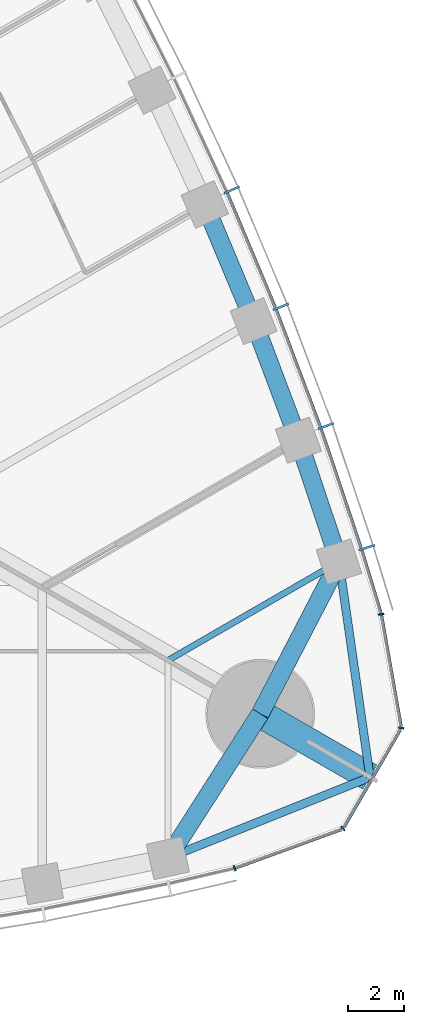
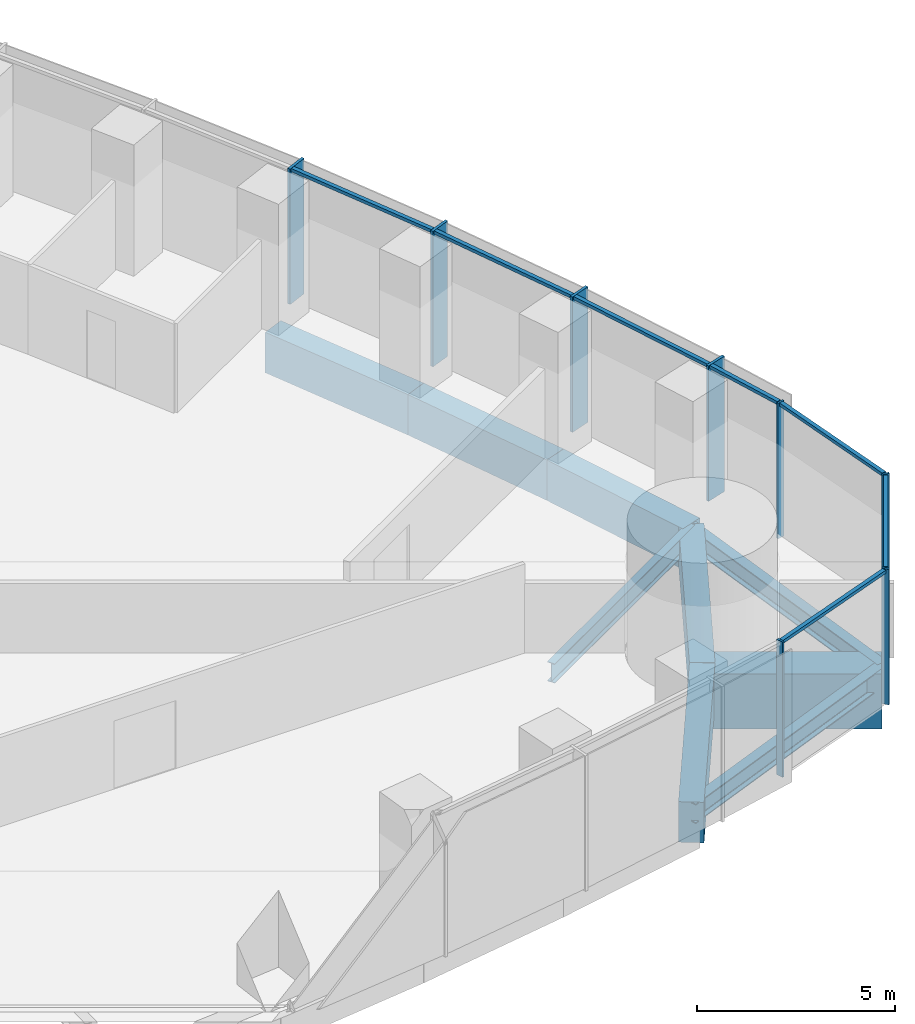
# One storey, part 8 of 19: 15 members, 9 beams, 2 elements without a shape of their own.
"""IFC4 building model written with IfcOpenShell, lengths in metres."""

from ifc_helpers import new_model, si_unit, direction, frame, origin, origin_2d, place, context, subcontext, project, spatial, rectangle, i_section, extrude, material, material_profile, profile_set, type_object, element, aggregate, save


model = new_model("IFC4")

# Units and contexts
model_context = context("Model", 3, precision=1e-05, world=origin(), true_north=direction((0.0, 1.0)))
body_context = subcontext(model_context, "Body", "Model", "MODEL_VIEW")
ifc_project = project(units=[si_unit("LENGTHUNIT", "METRE"), si_unit("AREAUNIT", "SQUARE_METRE"), si_unit("VOLUMEUNIT", "CUBIC_METRE"), si_unit("PLANEANGLEUNIT", "RADIAN"), si_unit("MASSUNIT", "GRAM", prefix="KILO")], contexts=[model_context])

# Site, building, storey
site_placement = place(None, origin())
site = spatial("IfcSite", under=ifc_project, at=site_placement, CompositionType="ELEMENT")
building_placement = place(site_placement, origin())
building = spatial("IfcBuilding", under=site, at=building_placement, Name="Trefoil Bronze Tower", CompositionType="ELEMENT")
storey_placement = place(building_placement, frame((0.0, 0.0, 136.699951171875)))
storey = spatial("IfcBuildingStorey", under=building, at=storey_placement, Name="L31", CompositionType="ELEMENT", Elevation=136.699951171875)

# Curtain wall, members
ifc_material_1 = material(Name="Tinted solar-control glass", Category="glass")
curtain_wall_type_1 = type_object("IfcCurtainWallType", Name="Bronze office curtain wall", PredefinedType="USERDEFINED", material=ifc_material_1)
curtain_wall_1_placement = place(storey_placement, origin())
curtain_wall_1 = element("IfcCurtainWall", 1, at=curtain_wall_1_placement, inside=storey, type_object=curtain_wall_type_1, Name="CW-A L31 F2", ObjectType="CURTAIN WALL", PredefinedType="USERDEFINED")
ifc_material_2 = material(Name="Bronze-finish aluminium", Category="aluminium")
ifc_material_profile_1 = material_profile(ifc_material_2, rectangle(XDim=0.60009765625, YDim=0.080078125, at=origin_2d()), Name="CW-A mullion")
ifc_profile_set_1 = profile_set([ifc_material_profile_1], Name="Bronze-finish aluminium")
member_type_1 = type_object("IfcMemberType", Name="Bronze office curtain wall mullion", PredefinedType="MULLION", material=ifc_profile_set_1)
member_1_placement = place(storey_placement, frame((34.1337890625, -11.543212890625, 0.0), z_axis=(0.0, 0.0, 1.0), x_axis=(-0.952331125357, -0.30506626768, 0.0)))
member_1 = element("IfcMember", 2, at=member_1_placement, type_object=member_type_1, Name="CW-A L31 F2 mullion 2", PredefinedType="MULLION", context=body_context, shape_type="SweptSolid", body=[
    extrude(rectangle(XDim=0.60009765625, YDim=0.080078125, at=origin_2d()), origin(), (0.0, 0.0, 1.0), 4.179931640625),
])
member_2_placement = place(storey_placement, frame((32.668701171875, -7.181884765625, 0.0), z_axis=(0.0, 0.0, 1.0), x_axis=(-0.94196250502, -0.335718094742, 0.0)))
member_2 = element("IfcMember", 3, at=member_2_placement, type_object=member_type_1, Name="CW-A L31 F2 mullion 3", PredefinedType="MULLION", context=body_context, shape_type="SweptSolid", body=[
    extrude(rectangle(XDim=0.60009765625, YDim=0.080078125, at=origin_2d()), origin(), (0.0, 0.0, 1.0), 4.179931640625),
])
member_3_placement = place(storey_placement, frame((31.055419921875, -2.90478515625, 0.0), z_axis=(0.0, 0.0, 1.0), x_axis=(-0.929071242848, -0.369900832269, 0.0)))
member_3 = element("IfcMember", 4, at=member_3_placement, type_object=member_type_1, Name="CW-A L31 F2 mullion 4", PredefinedType="MULLION", context=body_context, shape_type="SweptSolid", body=[
    extrude(rectangle(XDim=0.60009765625, YDim=0.080078125, at=origin_2d()), origin(), (0.0, 0.0, 1.0), 4.179931640625),
])
member_4_placement = place(storey_placement, frame((29.296875, 1.28857421875, 0.0), z_axis=(0.0, 0.0, 1.0), x_axis=(-0.915018269914, -0.40341240155, 0.0)))
member_4 = element("IfcMember", 5, at=member_4_placement, type_object=member_type_1, Name="CW-A L31 F2 mullion 5", PredefinedType="MULLION", context=body_context, shape_type="SweptSolid", body=[
    extrude(rectangle(XDim=0.60009765625, YDim=0.080078125, at=origin_2d()), origin(), (0.0, 0.0, 1.0), 4.179931640625),
])
ifc_material_3 = material(Name="Bronze-finish aluminium", Category="aluminium")
ifc_material_profile_2 = material_profile(ifc_material_3, rectangle(XDim=0.1201171875, YDim=0.10009765625, at=origin_2d()), Name="CW-A transom")
ifc_profile_set_2 = profile_set([ifc_material_profile_2], Name="Bronze-finish aluminium")
member_type_2 = type_object("IfcMemberType", Name="Bronze office curtain wall transom", PredefinedType="USERDEFINED", material=ifc_profile_set_2)
member_5_placement = place(storey_placement, frame((34.637939453125, -13.88232421875, 4.130126953125), z_axis=(-0.291680468798, 0.956515814883, 0.0), x_axis=(-0.956515814883, -0.291680468798, 0.0)))
member_5 = element("IfcMember", 6, at=member_5_placement, type_object=member_type_2, Name="CW-A L31 F2 transom 1", ObjectType="TRANSOM", PredefinedType="USERDEFINED", context=body_context, shape_type="SweptSolid", body=[
    extrude(rectangle(XDim=0.1201171875, YDim=0.10009765625, at=origin_2d()), origin(), (0.0, 0.0, 1.0), 2.34033203125),
])
member_6_placement = place(storey_placement, frame((33.929931640625, -11.56494140625, 4.130126953125), z_axis=(-0.318386323729, 0.947961048178, 0.0), x_axis=(-0.947961048178, -0.318386323729, 0.0)))
member_6 = element("IfcMember", 7, at=member_6_placement, type_object=member_type_2, Name="CW-A L31 F2 transom 2", ObjectType="TRANSOM", PredefinedType="USERDEFINED", context=body_context, shape_type="SweptSolid", body=[
    extrude(rectangle(XDim=0.1201171875, YDim=0.10009765625, at=origin_2d()), origin(), (0.0, 0.0, 1.0), 4.51123046875),
])
member_7_placement = place(storey_placement, frame((32.465576171875, -7.2099609375, 4.130126953125), z_axis=(-0.352932154759, 0.935648916067, 0.0), x_axis=(-0.935648916067, -0.352932154759, 0.0)))
member_7 = element("IfcMember", 8, at=member_7_placement, type_object=member_type_2, Name="CW-A L31 F2 transom 3", ObjectType="TRANSOM", PredefinedType="USERDEFINED", context=body_context, shape_type="SweptSolid", body=[
    extrude(rectangle(XDim=0.1201171875, YDim=0.10009765625, at=origin_2d()), origin(), (0.0, 0.0, 1.0), 4.48046875),
])
member_8_placement = place(storey_placement, frame((30.853515625, -2.940185546875, 4.130126953125), z_axis=(-0.386773266184, 0.922174842731, 0.0), x_axis=(-0.922174842731, -0.386773266184, 0.0)))
member_8 = element("IfcMember", 9, at=member_8_placement, type_object=member_type_2, Name="CW-A L31 F2 transom 4", ObjectType="TRANSOM", PredefinedType="USERDEFINED", context=body_context, shape_type="SweptSolid", body=[
    extrude(rectangle(XDim=0.1201171875, YDim=0.10009765625, at=origin_2d()), origin(), (0.0, 0.0, 1.0), 4.45654296875),
])
aggregate(curtain_wall_1, [member_1, member_2, member_3, member_4, member_5, member_6, member_7, member_8])

ifc_material_4 = material(Name="Tinted solar-control glass", Category="glass")
curtain_wall_type_2 = type_object("IfcCurtainWallType", Name="Bronze rounded corner curtain wall", PredefinedType="USERDEFINED", material=ifc_material_4)
curtain_wall_2_placement = place(storey_placement, origin())
curtain_wall_2 = element("IfcCurtainWall", 10, at=curtain_wall_2_placement, inside=storey, type_object=curtain_wall_type_2, Name="CW-B L31 K1", ObjectType="CURTAIN WALL", PredefinedType="USERDEFINED")
ifc_material_5 = material(Name="Bronze-finish aluminium", Category="aluminium")
ifc_material_profile_3 = material_profile(ifc_material_5, rectangle(XDim=0.199951171875, YDim=0.06005859375, at=origin_2d()), Name="CW-B mullion")
ifc_profile_set_3 = profile_set([ifc_material_profile_3], Name="Bronze-finish aluminium")
member_type_3 = type_object("IfcMemberType", Name="Bronze rounded corner curtain wall mullion", PredefinedType="MULLION", material=ifc_profile_set_3)
member_9_placement = place(storey_placement, frame((29.391845703125, -23.043701171875, 0.0), z_axis=(0.0, 0.0, 1.0), x_axis=(-0.342020143326, 0.939692620786, 0.0)))
member_9 = element("IfcMember", 11, at=member_9_placement, type_object=member_type_3, Name="CW-B L31 K1 mullion 1", PredefinedType="MULLION", context=body_context, shape_type="SweptSolid", body=[
    extrude(rectangle(XDim=0.199951171875, YDim=0.06005859375, at=origin_2d()), origin(), (0.0, 0.0, 1.0), 4.179931640625),
])
member_10_placement = place(storey_placement, frame((33.27880859375, -21.62255859375, 0.0), z_axis=(0.0, 0.0, 1.0), x_axis=(-0.642787609687, 0.766044443119, 0.0)))
member_10 = element("IfcMember", 12, at=member_10_placement, type_object=member_type_3, Name="CW-B L31 K1 mullion 2", PredefinedType="MULLION", context=body_context, shape_type="SweptSolid", body=[
    extrude(rectangle(XDim=0.199951171875, YDim=0.06005859375, at=origin_2d()), origin(), (0.0, 0.0, 1.0), 4.179931640625),
])
member_11_placement = place(storey_placement, frame((35.364990234375, -18.009033203125, 0.0), z_axis=(0.0, 0.0, 1.0), x_axis=(-0.984807753012, 0.173648177667, 0.0)))
member_11 = element("IfcMember", 13, at=member_11_placement, type_object=member_type_3, Name="CW-B L31 K1 mullion 3", PredefinedType="MULLION", context=body_context, shape_type="SweptSolid", body=[
    extrude(rectangle(XDim=0.199951171875, YDim=0.06005859375, at=origin_2d()), origin(), (0.0, 0.0, 1.0), 4.179931640625),
])
member_12_placement = place(storey_placement, frame((34.65234375, -13.932373046875, 0.0), z_axis=(0.0, 0.0, 1.0), x_axis=(-0.984807753012, -0.173648177667, 0.0)))
member_12 = element("IfcMember", 14, at=member_12_placement, type_object=member_type_3, Name="CW-B L31 K1 mullion 4", PredefinedType="MULLION", context=body_context, shape_type="SweptSolid", body=[
    extrude(rectangle(XDim=0.199951171875, YDim=0.06005859375, at=origin_2d()), origin(), (0.0, 0.0, 1.0), 4.179931640625),
])
ifc_material_6 = material(Name="Bronze-finish aluminium", Category="aluminium")
ifc_material_profile_4 = material_profile(ifc_material_6, rectangle(XDim=0.1201171875, YDim=0.10009765625, at=origin_2d()), Name="CW-B transom")
ifc_profile_set_4 = profile_set([ifc_material_profile_4], Name="Bronze-finish aluminium")
member_type_4 = type_object("IfcMemberType", Name="Bronze rounded corner curtain wall transom", PredefinedType="USERDEFINED", material=ifc_profile_set_4)
member_13_placement = place(storey_placement, frame((29.420166015625, -23.033447265625, 4.130126953125), z_axis=(0.939684096629, 0.342043562347, 0.0), x_axis=(-0.342043562347, 0.939684096629, 0.0)))
member_13 = element("IfcMember", 15, at=member_13_placement, type_object=member_type_4, Name="CW-B L31 K1 transom 1", ObjectType="TRANSOM", PredefinedType="USERDEFINED", context=body_context, shape_type="SweptSolid", body=[
    extrude(rectangle(XDim=0.1201171875, YDim=0.10009765625, at=origin_2d()), origin(), (0.0, 0.0, 1.0), 4.044189453125),
])
member_14_placement = place(storey_placement, frame((33.31591796875, -21.570068359375, 4.130126953125), z_axis=(0.500015078168, 0.866016698225, 0.0), x_axis=(-0.866016698225, 0.500015078168, 0.0)))
member_14 = element("IfcMember", 16, at=member_14_placement, type_object=member_type_4, Name="CW-B L31 K1 transom 2", ObjectType="TRANSOM", PredefinedType="USERDEFINED", context=body_context, shape_type="SweptSolid", body=[
    extrude(rectangle(XDim=0.1201171875, YDim=0.10009765625, at=origin_2d()), origin(), (0.0, 0.0, 1.0), 4.04443359375),
])
member_15_placement = place(storey_placement, frame((35.35986328125, -17.944580078125, 4.130126953125), z_axis=(-0.173682016639, 0.984801785689, 0.0), x_axis=(-0.984801785689, -0.173682016639, 0.0)))
member_15 = element("IfcMember", 17, at=member_15_placement, type_object=member_type_4, Name="CW-B L31 K1 transom 3", ObjectType="TRANSOM", PredefinedType="USERDEFINED", context=body_context, shape_type="SweptSolid", body=[
    extrude(rectangle(XDim=0.1201171875, YDim=0.10009765625, at=origin_2d()), origin(), (0.0, 0.0, 1.0), 4.044189453125),
])
aggregate(curtain_wall_2, [member_9, member_10, member_11, member_12, member_13, member_14, member_15])

# Beams
ifc_material_7 = material(Name="Concrete B80", Category="concrete")
ifc_material_profile_5 = material_profile(ifc_material_7, rectangle(XDim=1.0, YDim=1.699951171875, at=origin_2d()), Name="RC 1000x1700")
ifc_profile_set_5 = profile_set([ifc_material_profile_5], Name="Concrete B80")
beam_type_1 = type_object("IfcBeamType", Name="Corner cantilever RC 1000x1700", PredefinedType="BEAM", material=ifc_profile_set_5)
beam_1_placement = place(storey_placement, frame((30.310791015625, -17.5, -1.050048828125), z_axis=(0.866031878637, -0.499988785058, 0.0), x_axis=(0.499988785058, 0.866031878637, 0.0)))
element("IfcBeam", 18, at=beam_1_placement, inside=storey, type_object=beam_type_1, Name="Corner cantilever K1 L31", PredefinedType="BEAM", context=body_context, shape_type="SweptSolid", body=[
    extrude(rectangle(XDim=1.0, YDim=1.699951171875, at=origin_2d()), origin(), (0.0, 0.0, 1.0), 4.54931640625),
])
ifc_material_8 = material(Name="Steel C355", Category="steel")
ifc_material_profile_6 = material_profile(ifc_material_8, i_section(OverallWidth=0.300048828125, OverallDepth=0.60009765625, WebThickness=0.015380859375, FlangeThickness=0.030029296875, FilletRadius=0.027099609375, at=origin_2d()), Name="HEB 600")
ifc_profile_set_6 = profile_set([ifc_material_profile_6], Name="Steel C355")
beam_type_2 = type_object("IfcBeamType", Name="Corner edge beam HEB 600", PredefinedType="BEAM", material=ifc_profile_set_6)
for number, where, z_axis, x_axis, name in (
    (19, (27.0, -22.67724609375, -0.5), (0.928375332495, 0.371643972122, 0.0), (-0.371643972122, 0.928375332495, 0.0), "Corner edge beam F1A L31"),
    (20, (33.13916015625, -12.044189453125, -0.5), (0.142327214588, -0.989819662357, 0.0), (0.989819662357, 0.142327214588, 0.0), "Corner edge beam F2B L31"),
):
    element("IfcBeam", number, at=place(storey_placement, frame(where, z_axis=z_axis, x_axis=x_axis)), inside=storey, type_object=beam_type_2, Name=name, PredefinedType="BEAM", context=body_context, shape_type="SweptSolid", body=[
        extrude(i_section(OverallWidth=0.300048828125, OverallDepth=0.60009765625, WebThickness=0.015380859375, FlangeThickness=0.030029296875, FilletRadius=0.027099609375, at=origin_2d()), origin(), (0.0, 0.0, 1.0), 7.81005859375),
    ])
ifc_material_9 = material(Name="Concrete B80", Category="concrete")
ifc_material_profile_7 = material_profile(ifc_material_9, rectangle(XDim=0.64990234375, YDim=1.25, at=origin_2d()), Name="RC 650x1250")
ifc_profile_set_7 = profile_set([ifc_material_profile_7], Name="Concrete B80")
beam_type_3 = type_object("IfcBeamType", Name="End spandrel beam RC 650x1250", PredefinedType="SPANDREL", material=ifc_profile_set_7)
for number, where, z_axis, x_axis, name in (
    (21, (27.0, -22.67724609375, -0.824951171875), (0.53874814953, 0.84246687257, 0.0), (-0.84246687257, 0.53874814953, 0.0), "Spandrel F1.14 L31"),
    (22, (30.310791015625, -17.5, -0.824951171875), (0.460244107083, 0.887792409235, 0.0), (-0.887792409235, 0.460244107083, 0.0), "Spandrel F2.1 L31"),
):
    element("IfcBeam", number, at=place(storey_placement, frame(where, z_axis=z_axis, x_axis=x_axis)), inside=storey, type_object=beam_type_3, Name=name, PredefinedType="SPANDREL", context=body_context, shape_type="SweptSolid", body=[
        extrude(rectangle(XDim=0.64990234375, YDim=1.25, at=origin_2d()), origin(), (0.0, 0.0, 1.0), 6.145263671875),
    ])
ifc_material_10 = material(Name="Steel C355", Category="steel")
ifc_material_profile_8 = material_profile(ifc_material_10, i_section(OverallWidth=0.219970703125, OverallDepth=0.60009765625, WebThickness=0.011962890625, FlangeThickness=0.01904296875, FilletRadius=0.02392578125, at=origin_2d()), Name="IPE 600")
ifc_profile_set_8 = profile_set([ifc_material_profile_8], Name="Steel C355")
beam_type_4 = type_object("IfcBeamType", Name="Floor beam IPE 600", PredefinedType="BEAM", material=ifc_profile_set_8)
beam_2_placement = place(storey_placement, frame((33.13916015625, -12.044189453125, -0.5), z_axis=(-0.866041060244, -0.499972881236, 0.0), x_axis=(0.499972881236, -0.866041060244, 0.0)))
element("IfcBeam", 23, at=beam_2_placement, inside=storey, type_object=beam_type_4, Name="Floor beam F2/-6 L31", PredefinedType="BEAM", context=body_context, shape_type="SweptSolid", body=[
    extrude(i_section(OverallWidth=0.219970703125, OverallDepth=0.60009765625, WebThickness=0.011962890625, FlangeThickness=0.01904296875, FilletRadius=0.02392578125, at=origin_2d()), origin(), (0.0, 0.0, 1.0), 7.0888671875),
])
ifc_material_11 = material(Name="Concrete B80", Category="concrete")
ifc_material_profile_9 = material_profile(ifc_material_11, rectangle(XDim=0.64990234375, YDim=1.25, at=origin_2d()), Name="RC 650x1250")
ifc_profile_set_9 = profile_set([ifc_material_profile_9], Name="Concrete B80")
beam_type_5 = type_object("IfcBeamType", Name="Spandrel beam RC 650x1250", PredefinedType="SPANDREL", material=ifc_profile_set_9)
beam_3_placement = place(storey_placement, frame((33.13916015625, -12.044189453125, -0.824951171875), z_axis=(-0.31732802068, 0.948315837309, 0.0), x_axis=(-0.948315837309, -0.31732802068, 0.0)))
element("IfcBeam", 24, at=beam_3_placement, inside=storey, type_object=beam_type_5, Name="Spandrel F2.2 L31", PredefinedType="SPANDREL", context=body_context, shape_type="SweptSolid", body=[
    extrude(rectangle(XDim=0.64990234375, YDim=1.25, at=origin_2d()), origin(), (0.0, 0.0, 1.0), 4.59228515625),
])
beam_4_placement = place(storey_placement, frame((31.681884765625, -7.689208984375, -0.824951171875), z_axis=(-0.351938675523, 0.936023059904, 0.0), x_axis=(-0.936023059904, -0.351938675523, 0.0)))
element("IfcBeam", 25, at=beam_4_placement, inside=storey, type_object=beam_type_5, Name="Spandrel F2.3 L31", PredefinedType="SPANDREL", context=body_context, shape_type="SweptSolid", body=[
    extrude(rectangle(XDim=0.64990234375, YDim=1.25, at=origin_2d()), origin(), (0.0, 0.0, 1.0), 4.56103515625),
])
beam_5_placement = place(storey_placement, frame((30.07666015625, -3.419921875, -0.824951171875), z_axis=(-0.386013490858, 0.922493135408, 0.0), x_axis=(-0.922493135408, -0.386013490858, 0.0)))
element("IfcBeam", 26, at=beam_5_placement, inside=storey, type_object=beam_type_5, Name="Spandrel F2.4 L31", PredefinedType="SPANDREL", context=body_context, shape_type="SweptSolid", body=[
    extrude(rectangle(XDim=0.64990234375, YDim=1.25, at=origin_2d()), origin(), (0.0, 0.0, 1.0), 4.53662109375),
])

save(model, "model.ifc")
